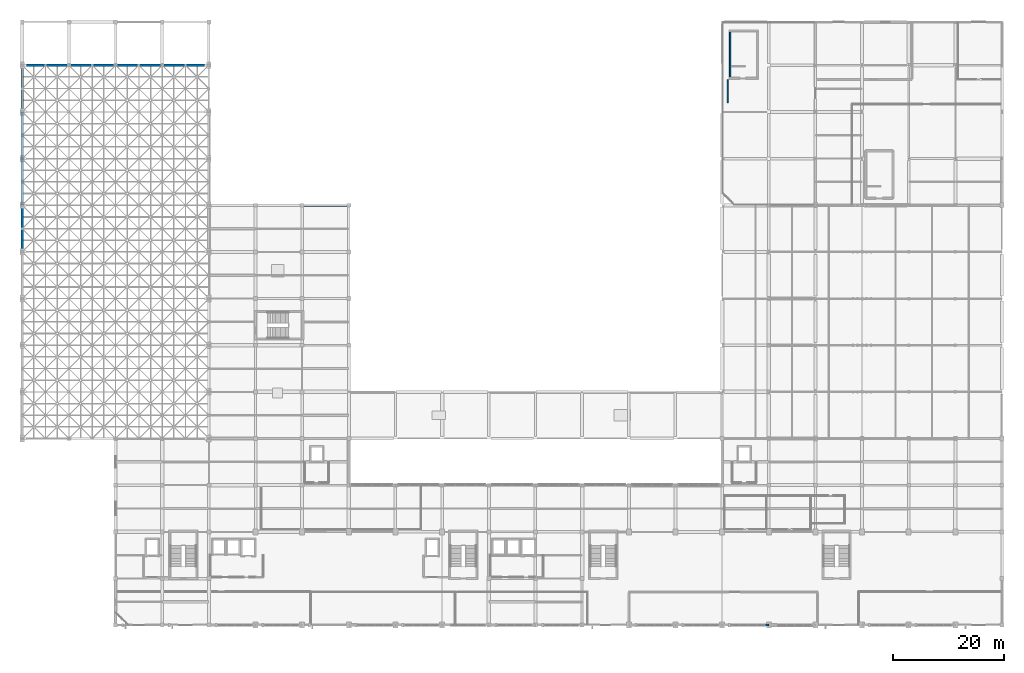
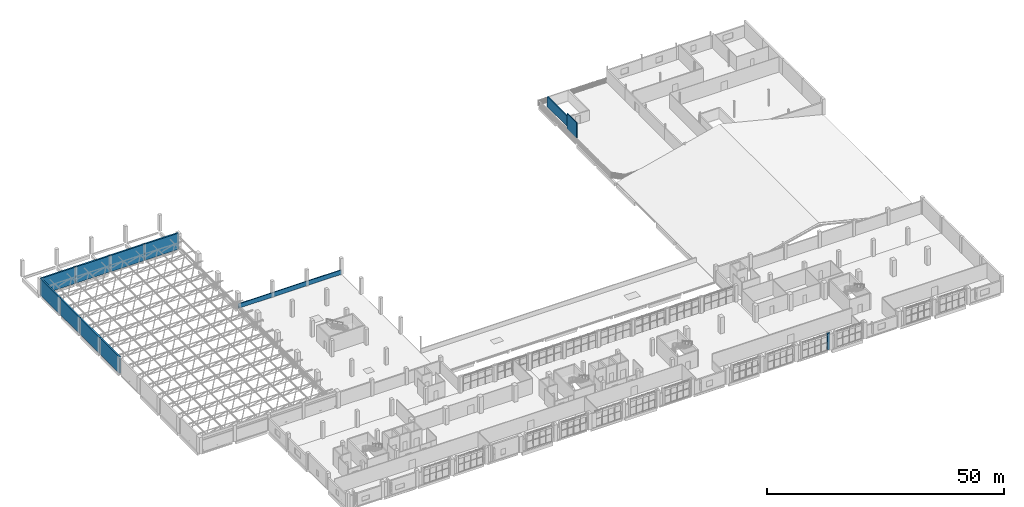
# One storey, part 56 of 64: 12 walls.
"""IFC4 building model written with IfcOpenShell, lengths in metres."""

from ifc_helpers import new_model, si_unit, derived_unit, direction, frame, frame_2d, origin, place, context, subcontext, project, spatial, rectangle, extrude, material, layer, layer_set, type_object, element, save


model = new_model("IFC4")

# Units and contexts
model_context = context("Model", 3, precision=1e-05, world=origin(), true_north=direction((0.0, 1.0)))
body_context = subcontext(model_context, "Body", "Model", "MODEL_VIEW")
ifc_project = project(units=[si_unit("LENGTHUNIT", "METRE"), si_unit("AREAUNIT", "SQUARE_METRE"), si_unit("VOLUMEUNIT", "CUBIC_METRE"), si_unit("PLANEANGLEUNIT", "RADIAN"), si_unit("MASSUNIT", "GRAM", prefix="KILO"), derived_unit("THERMALTRANSMITTANCEUNIT", [(si_unit("POWERUNIT", "WATT"), 1), (si_unit("LENGTHUNIT", "METRE"), -2), (si_unit("THERMODYNAMICTEMPERATUREUNIT", "KELVIN"), -1)])], contexts=[model_context])

# Site, building, storey
site_placement = place(None, origin())
site = spatial("IfcSite", under=ifc_project, at=site_placement, CompositionType="ELEMENT")
building_placement = place(site_placement, origin())
building = spatial("IfcBuilding", under=site, at=building_placement, Name="Barrovel Congress Hotel", CompositionType="ELEMENT")
storey_placement = place(building_placement, frame((0.0, 0.0, 14.10009765625)))
storey = spatial("IfcBuildingStorey", under=building, at=storey_placement, Name="L03", CompositionType="ELEMENT", Elevation=14.10009765625)

# Walls
ifc_material_1 = material(Name="Fired Clay Brick Masonry", Category="masonry")
ifc_layer_1 = layer(ifc_material_1, 0.360107421875)
ifc_layer_set_1 = layer_set([ifc_layer_1], Name="Fired Clay Brick Masonry")
wall_type_1 = type_object("IfcWallType", Name="EW-BRK360", PredefinedType="STANDARD", material=ifc_layer_set_1)
wall_1_placement = place(storey_placement, frame((133.739990234375, 4.199951171875, 0.0), z_axis=(0.0, 0.0, 1.0), x_axis=(1.0, 0.0, 0.0)))
element("IfcWall", 1, at=wall_1_placement, inside=storey, type_object=wall_type_1, Name="EW:L03:SJ-R:15", PredefinedType="STANDARD", context=body_context, shape_type="SweptSolid", body=[
    extrude(rectangle(XDim=0.659912109375, YDim=0.360107421875, at=frame_2d((0.330078125, 0.0))), origin(), (0.0, 0.0, 1.0), 4.199951171875),
])
ifc_layer_2 = layer(ifc_material_1, 0.3798828125)
ifc_layer_set_2 = layer_set([ifc_layer_2], Name="Fired Clay Brick Masonry")
wall_type_2 = type_object("IfcWallType", Name="EW-BRK380", PredefinedType="STANDARD", material=ifc_layer_set_2)
wall_2_placement = place(storey_placement, frame((33.60009765625, 105.0, 0.0), z_axis=(0.0, 0.0, 1.0), x_axis=(-1.0, 0.0, 0.0)))
element("IfcWall", 2, at=wall_2_placement, inside=storey, type_object=wall_type_2, Name="EW:L03:V1N:3", PredefinedType="STANDARD", context=body_context, shape_type="SweptSolid", body=[
    extrude(rectangle(XDim=8.400146484375, YDim=0.3798828125, at=frame_2d((4.2001953125, 0.0))), origin(), (0.0, 0.0, 1.0), 4.199951171875),
])
wall_3_placement = place(storey_placement, frame((25.199951171875, 105.0, 0.0), z_axis=(0.0, 0.0, 1.0), x_axis=(-1.0, 0.0, 0.0)))
element("IfcWall", 3, at=wall_3_placement, inside=storey, type_object=wall_type_2, Name="EW:L03:V1N:2", PredefinedType="STANDARD", context=body_context, shape_type="SweptSolid", body=[
    extrude(rectangle(XDim=8.39990234375, YDim=0.3798828125, at=frame_2d((4.199951171875, 0.0))), origin(), (0.0, 0.0, 1.0), 4.199951171875),
])
wall_4_placement = place(storey_placement, frame((16.800048828125, 105.0, 0.0), z_axis=(0.0, 0.0, 1.0), x_axis=(-1.0, 0.0, 0.0)))
element("IfcWall", 4, at=wall_4_placement, inside=storey, type_object=wall_type_2, Name="EW:L03:V1N:1", PredefinedType="STANDARD", context=body_context, shape_type="SweptSolid", body=[
    extrude(rectangle(XDim=8.400146484375, YDim=0.3798828125, at=frame_2d((4.2001953125, 0.0))), origin(), (0.0, 0.0, 1.0), 4.199951171875),
])
for number, where, z_axis, x_axis, name in (
    (5, (8.39990234375, 105.0, 0.0), (0.0, 0.0, 1.0), (-1.0, 0.0, 0.0), "EW:L03:V1N:0"),
    (6, (0.0, 105.0, 0.0), (0.0, 0.0, 1.0), (0.0, -1.0, 0.0), "EW:L03:V1W:96.6"),
):
    element("IfcWall", number, at=place(storey_placement, frame(where, z_axis=z_axis, x_axis=x_axis)), inside=storey, type_object=wall_type_2, Name=name, PredefinedType="STANDARD", context=body_context, shape_type="SweptSolid", body=[
        extrude(rectangle(XDim=8.39990234375, YDim=0.3798828125, at=frame_2d((4.199951171875, 0.0))), origin(), (0.0, 0.0, 1.0), 4.199951171875),
    ])
wall_5_placement = place(storey_placement, frame((0.0, 96.60009765625, 0.0), z_axis=(0.0, 0.0, 1.0), x_axis=(0.0, -1.0, 0.0)))
element("IfcWall", 7, at=wall_5_placement, inside=storey, type_object=wall_type_2, Name="EW:L03:V1W:88.2", PredefinedType="STANDARD", context=body_context, shape_type="SweptSolid", body=[
    extrude(rectangle(XDim=8.400146484375, YDim=0.3798828125, at=frame_2d((4.2001953125, 0.0))), origin(), (0.0, 0.0, 1.0), 4.199951171875),
])
wall_6_placement = place(storey_placement, frame((0.0, 88.199951171875, 0.0), z_axis=(0.0, 0.0, 1.0), x_axis=(0.0, -1.0, 0.0)))
element("IfcWall", 8, at=wall_6_placement, inside=storey, type_object=wall_type_2, Name="EW:L03:V1W:79.8", PredefinedType="STANDARD", context=body_context, shape_type="SweptSolid", body=[
    extrude(rectangle(XDim=8.39990234375, YDim=0.3798828125, at=frame_2d((4.199951171875, 0.0))), origin(), (0.0, 0.0, 1.0), 4.199951171875),
])
wall_7_placement = place(storey_placement, frame((0.0, 79.800048828125, 0.0), z_axis=(0.0, 0.0, 1.0), x_axis=(0.0, -1.0, 0.0)))
element("IfcWall", 9, at=wall_7_placement, inside=storey, type_object=wall_type_2, Name="EW:L03:V1W:71.4", PredefinedType="STANDARD", context=body_context, shape_type="SweptSolid", body=[
    extrude(rectangle(XDim=8.400146484375, YDim=0.3798828125, at=frame_2d((4.2001953125, 0.0))), origin(), (0.0, 0.0, 1.0), 4.199951171875),
])
ifc_layer_3 = layer(ifc_material_1, 0.219970703125)
ifc_layer_set_3 = layer_set([ifc_layer_3], Name="Fired Clay Brick Masonry")
wall_type_3 = type_object("IfcWallType", Name="EW-PAR220", PredefinedType="PARAPET", material=ifc_layer_set_3)
wall_8_placement = place(storey_placement, frame((33.60009765625, 79.699951171875, 0.0), z_axis=(0.0, 0.0, 1.0), x_axis=(1.0, 0.0, 0.0)))
element("IfcWall", 10, at=wall_8_placement, inside=storey, type_object=wall_type_3, Name="PAR:L03:03", PredefinedType="PARAPET", context=body_context, shape_type="SweptSolid", body=[
    extrude(rectangle(XDim=25.199951171875, YDim=0.219970703125, at=frame_2d((12.60009765625, 0.0))), origin(), (0.0, 0.0, 1.0), 1.14990234375),
])
ifc_layer_4 = layer(ifc_material_1, 0.239990234375)
ifc_layer_set_4 = layer_set([ifc_layer_4], Name="Fired Clay Brick Masonry")
wall_type_4 = type_object("IfcWallType", Name="PW-MAS-240", PredefinedType="PARTITIONING", material=ifc_layer_set_4)
wall_9_placement = place(storey_placement, frame((127.02001953125, 98.219970703125, 0.0), z_axis=(0.0, 0.0, 1.0), x_axis=(0.0, 1.0, 0.0)))
element("IfcWall", 11, at=wall_9_placement, inside=storey, type_object=wall_type_4, Name="RW:SP:L03:SPA-C3:W", PredefinedType="PARTITIONING", context=body_context, shape_type="SweptSolid", body=[
    extrude(rectangle(XDim=4.159912109375, YDim=0.239990234375, at=frame_2d((2.080078125, 0.0))), origin(), (0.0, 0.0, 1.0), 3.89501953125),
])
ifc_material_2 = material(Name="Concrete C40", Category="concrete")
ifc_layer_5 = layer(ifc_material_2, 0.300048828125)
ifc_layer_set_5 = layer_set([ifc_layer_5], Name="Concrete C40")
wall_type_5 = type_object("IfcWallType", Name="SW-C40-300", PredefinedType="SHEAR", material=ifc_layer_set_5)
wall_10_placement = place(storey_placement, frame((127.449951171875, 111.340087890625, 0.0), z_axis=(0.0, 0.0, 1.0), x_axis=(0.0, -1.0, 0.0)))
element("IfcWall", 12, at=wall_10_placement, inside=storey, type_object=wall_type_5, Name="SHW:XS-10:L03:W", PredefinedType="SHEAR", context=body_context, shape_type="SweptSolid", body=[
    extrude(rectangle(XDim=8.840087890625, YDim=0.300048828125, at=frame_2d((4.419921875, 0.0))), origin(), (0.0, 0.0, 1.0), 2.64990234375),
])

save(model, "model.ifc")
